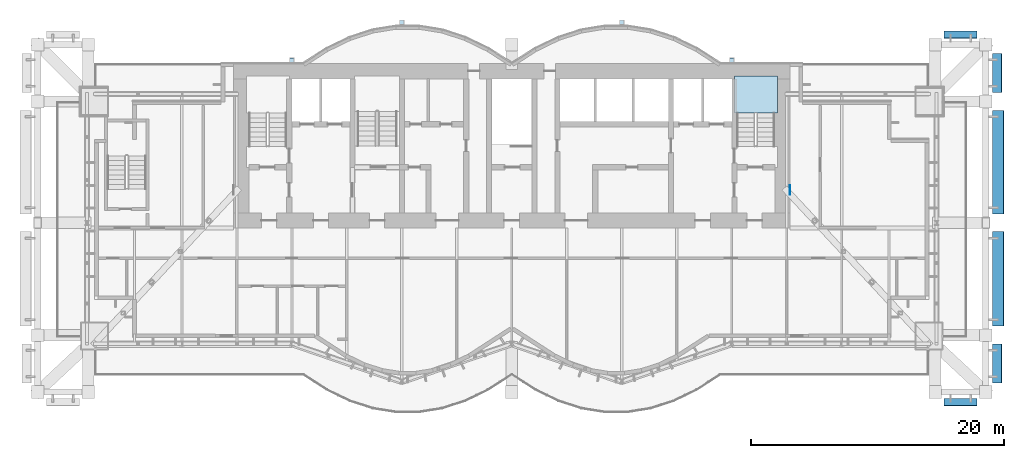
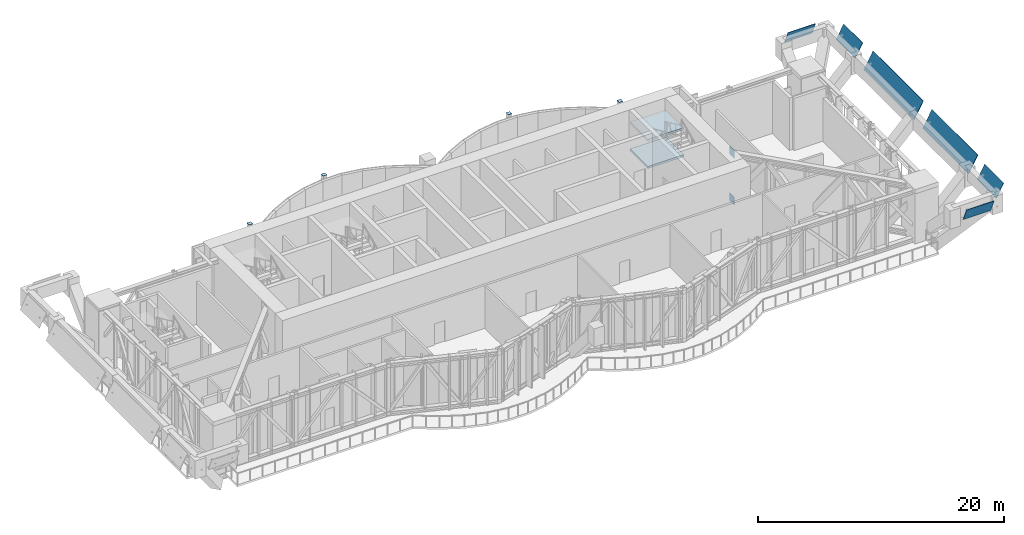
# One storey, part 12 of 20: 12 plates, 2 slabs, 1 element without a shape of its own.
"""IFC4 building model written with IfcOpenShell, lengths in metres."""

from ifc_helpers import new_model, si_unit, direction, frame, origin, origin_2d, place, context, subcontext, project, spatial, polyline, rectangle, outline, extrude, material, layer, layer_set, type_object, element, aggregate, save


model = new_model("IFC4")

# Units and contexts
model_context = context("Model", 3, precision=1e-05, world=origin(), true_north=direction((0.0, 1.0)))
body_context = subcontext(model_context, "Body", "Model", "MODEL_VIEW")
ifc_project = project(units=[si_unit("LENGTHUNIT", "METRE"), si_unit("AREAUNIT", "SQUARE_METRE"), si_unit("VOLUMEUNIT", "CUBIC_METRE"), si_unit("PLANEANGLEUNIT", "RADIAN"), si_unit("MASSUNIT", "GRAM", prefix="KILO")], contexts=[model_context])

# Site, building, storey
site_placement = place(None, origin())
site = spatial("IfcSite", under=ifc_project, at=site_placement, CompositionType="ELEMENT")
building_placement = place(site_placement, origin())
building = spatial("IfcBuilding", under=site, at=building_placement, Name="Bicima Exchange Tower", CompositionType="ELEMENT")
storey_placement = place(building_placement, frame((0.0, 0.0, 342.5)))
storey = spatial("IfcBuildingStorey", under=building, at=storey_placement, Name="L77", CompositionType="ELEMENT", Elevation=342.5)

# Plates
ifc_material_1 = material(Name="Dark tinted spandrel glass", Category="glass")
ifc_layer_1 = layer(ifc_material_1, 0.0400390625)
ifc_layer_set_1 = layer_set([ifc_layer_1], Name="Dark tinted spandrel glass")
plate_type_1 = type_object("IfcPlateType", Name="Belt fascia glass panel 40", PredefinedType="SHEET", material=ifc_layer_set_1)
plate_1_placement = place(storey_placement, frame((34.199951171875, -26.5048828125, 4.0), z_axis=(0.0, 0.919715682457, 0.39258510344), x_axis=(1.0, 0.0, 0.0)))
element("IfcPlate", 1, at=plate_1_placement, inside=storey, type_object=plate_type_1, Name="Belt fascia glass panel", PredefinedType="SHEET", context=body_context, shape_type="SweptSolid", body=[
    extrude(outline(polyline([(0.0, 0.0), (2.60009765625, 0.0), (2.60009765625, -1.3917663048388182), (0.0, -1.3917663048388182), (0.0, 0.0)])), origin(), (0.0, 0.0, -1.0), 0.0400390625),
])
plate_2_placement = place(storey_placement, frame((38.030029296875, -25.27490234375, 4.0), z_axis=(-0.876685030348, 0.0, 0.481064816386), x_axis=(0.0, 1.0, 0.0)))
element("IfcPlate", 2, at=plate_2_placement, inside=storey, type_object=plate_type_1, Name="Belt fascia glass panel", PredefinedType="SHEET", context=body_context, shape_type="SweptSolid", body=[
    extrude(outline(polyline([(0.0, 0.0), (3.10009765625, 0.0), (3.10009765625, -1.4600788796032191), (0.0, -1.4600788796032191), (0.0, 0.0)])), origin(), (0.0, 0.0, -1.0), 0.0400390625),
])
plate_3_placement = place(storey_placement, frame((38.030029296875, -20.77490234375, 3.699951171875), z_axis=(-0.876650248979, 0.0, 0.481128195978), x_axis=(0.0, 1.0, 0.0)))
element("IfcPlate", 3, at=plate_3_placement, inside=storey, type_object=plate_type_1, Name="Belt fascia glass panel", PredefinedType="SHEET", context=body_context, shape_type="SweptSolid", body=[
    extrude(outline(polyline([(0.0, 0.0), (7.474853515625, 0.0), (7.474853515625, -1.8024042391372046), (0.0, -1.8024042391372046), (0.0, 0.0)])), origin(), (0.0, 0.0, -1.0), 0.0400390625),
])
plate_4_placement = place(storey_placement, frame((38.030029296875, -11.89990234375, 3.699951171875), z_axis=(-0.876650248979, 0.0, 0.481128195978), x_axis=(0.0, 1.0, 0.0)))
element("IfcPlate", 4, at=plate_4_placement, inside=storey, type_object=plate_type_1, Name="Belt fascia glass panel", PredefinedType="SHEET", context=body_context, shape_type="SweptSolid", body=[
    extrude(outline(polyline([(0.0, 0.0), (8.199951171875, 0.0), (8.199951171875, -1.8024042391372048), (0.0, -1.8024042391372048), (0.0, 0.0)])), origin(), (0.0, 0.0, -1.0), 0.0400390625),
])
plate_5_placement = place(storey_placement, frame((38.030029296875, -2.300048828125, 4.0), z_axis=(-0.876685030348, 0.0, 0.481064816386), x_axis=(0.0, 1.0, 0.0)))
element("IfcPlate", 5, at=plate_5_placement, inside=storey, type_object=plate_type_1, Name="Belt fascia glass panel", PredefinedType="SHEET", context=body_context, shape_type="SweptSolid", body=[
    extrude(outline(polyline([(0.0, 0.0), (3.10009765625, 0.0), (3.10009765625, -1.4600788796032191), (0.0, -1.4600788796032191), (0.0, 0.0)])), origin(), (0.0, 0.0, -1.0), 0.0400390625),
])
plate_6_placement = place(storey_placement, frame((36.800048828125, 2.576416015625, 4.0), z_axis=(0.0, 0.919715682457, 0.39258510344), x_axis=(-1.0, 0.0, 0.0)))
element("IfcPlate", 6, at=plate_6_placement, inside=storey, type_object=plate_type_1, Name="Belt fascia glass panel", PredefinedType="SHEET", context=body_context, shape_type="SweptSolid", body=[
    extrude(outline(polyline([(0.0, 0.0), (2.60009765625, 0.0), (2.60009765625, 1.3917663048388182), (0.0, 1.3917663048388182), (0.0, 0.0)])), origin(), (0.0, 0.0, -1.0), 0.0400390625),
])
ifc_material_2 = material(Name="Steel ASTM A572 Gr 50", Category="steel")
ifc_layer_2 = layer(ifc_material_2, 0.0400390625)
ifc_layer_set_2 = layer_set([ifc_layer_2], Name="Steel ASTM A572 Gr 50")
plate_type_2 = type_object("IfcPlateType", Name="Cast-in plate 40", PredefinedType="SHEET", material=ifc_layer_set_2)
for number, where, z_axis, x_axis, name in (
    (7, (22.02001953125, -10.0, 4.531005859375), (0.0, 0.0, 1.0), (1.0, 0.0, 0.0), "Cast-in plate at core wall"),
    (8, (22.02001953125, -10.0, -0.10009765625), (0.0, 0.0, 1.0), (1.0, 0.0, 0.0), "Cast-in plate at core wall"),
):
    element("IfcPlate", number, at=place(storey_placement, frame(where, z_axis=z_axis, x_axis=x_axis)), inside=storey, type_object=plate_type_2, Name=name, PredefinedType="SHEET", context=body_context, shape_type="SweptSolid", body=[
        extrude(rectangle(XDim=0.0400390625, YDim=0.754638671875, at=origin_2d()), origin(), (0.0, 0.0, 1.0), 0.76904296875),
    ])
ifc_layer_3 = layer(ifc_material_2, 0.02490234375)
ifc_layer_set_3 = layer_set([ifc_layer_3], Name="Steel ASTM A572 Gr 50")
plate_type_3 = type_object("IfcPlateType", Name="Pilaster cap plate 25", PredefinedType="SHEET", material=ifc_layer_set_3)
for number, where, z_axis, x_axis, name in (
    (9, (-8.699951171875, 3.26904296875, 5.400146484375), (0.0, 0.0, 1.0), (1.0, 0.0, 0.0), "Pilaster cap rexo-8.7r"),
    (10, (-17.39990234375, 0.278076171875, 5.400146484375), (0.0, 0.0, 1.0), (1.0, 0.0, 0.0), "Pilaster cap rexo-17.4r"),
    (11, (8.699951171875, 3.26904296875, 5.400146484375), (0.0, 0.0, 1.0), (1.0, 0.0, 0.0), "Pilaster cap rexo+8.7r"),
    (12, (17.39990234375, 0.278076171875, 5.400146484375), (0.0, 0.0, 1.0), (1.0, 0.0, 0.0), "Pilaster cap rexo+17.4r"),
):
    element("IfcPlate", number, at=place(storey_placement, frame(where, z_axis=z_axis, x_axis=x_axis)), inside=storey, type_object=plate_type_3, Name=name, PredefinedType="SHEET", context=body_context, shape_type="SweptSolid", body=[
        extrude(rectangle(XDim=0.355712890625, YDim=0.355712890625, at=origin_2d()), origin(), (0.0, 0.0, 1.0), 0.02490234375),
    ])

# Stair, slabs
ifc_material_3 = material(Name="Concrete C50/60", Category="concrete")
stair_type = type_object("IfcStairType", Name="Exit stair", PredefinedType="HALF_TURN_STAIR", material=ifc_material_3)
stair_placement = place(storey_placement, origin())
stair = element("IfcStair", 13, at=stair_placement, inside=storey, type_object=stair_type, Name="L77 East exit stair", PredefinedType="HALF_TURN_STAIR")
ifc_layer_4 = layer(ifc_material_3, 0.199951171875)
ifc_layer_set_4 = layer_set([ifc_layer_4], Name="Concrete C50/60")
slab_type = type_object("IfcSlabType", Name="Stair landing slab", PredefinedType="LANDING", material=ifc_layer_set_4)
slab_1_placement = place(storey_placement, frame((0.0, 0.0, 1.14990234375)))
slab_1 = element("IfcSlab", 14, at=slab_1_placement, type_object=slab_type, Name="ST-E landing 1", PredefinedType="LANDING", context=body_context, shape_type="SweptSolid", body=[
    extrude(outline(polyline([(21.0, -3.919921875), (21.0, -1.0), (17.60009765625, -1.0), (17.60009765625, -3.919921875), (21.0, -3.919921875)])), origin(), (0.0, 0.0, 1.0), 0.2001953125),
])
slab_2_placement = place(storey_placement, frame((0.0, 0.0, 3.85009765625)))
slab_2 = element("IfcSlab", 15, at=slab_2_placement, type_object=slab_type, Name="ST-E landing 3", PredefinedType="LANDING", context=body_context, shape_type="SweptSolid", body=[
    extrude(outline(polyline([(21.0, -3.919921875), (21.0, -1.0), (17.60009765625, -1.0), (17.60009765625, -3.919921875), (21.0, -3.919921875)])), origin(), (0.0, 0.0, 1.0), 0.199951171875),
])
aggregate(stair, [slab_1, slab_2])

save(model, "model.ifc")
